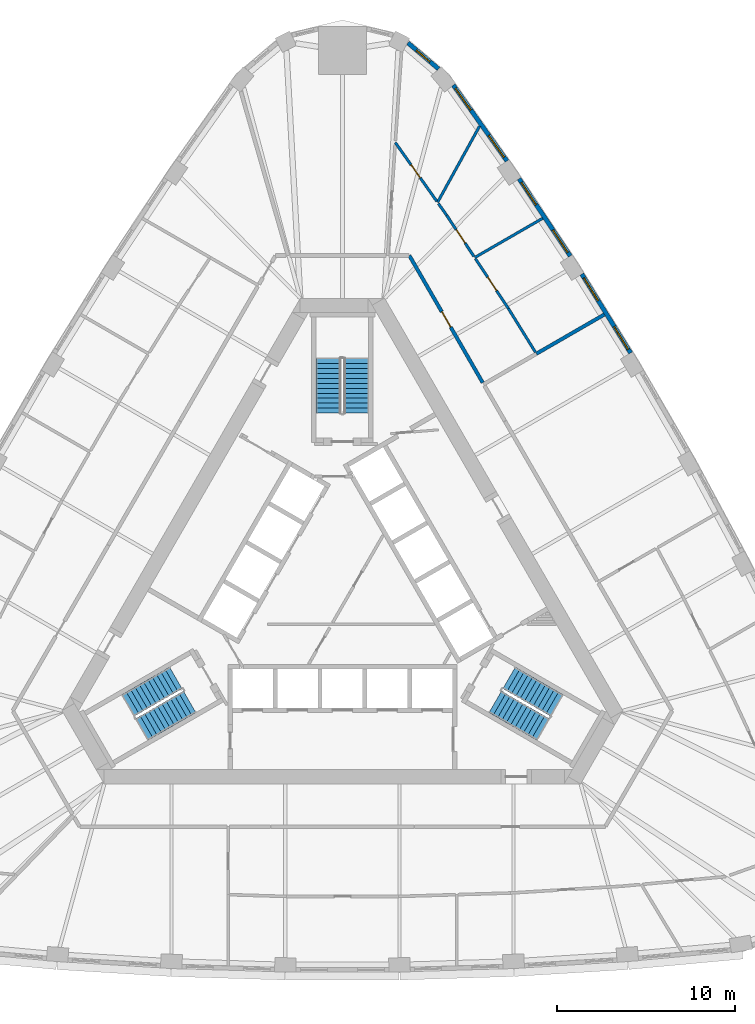
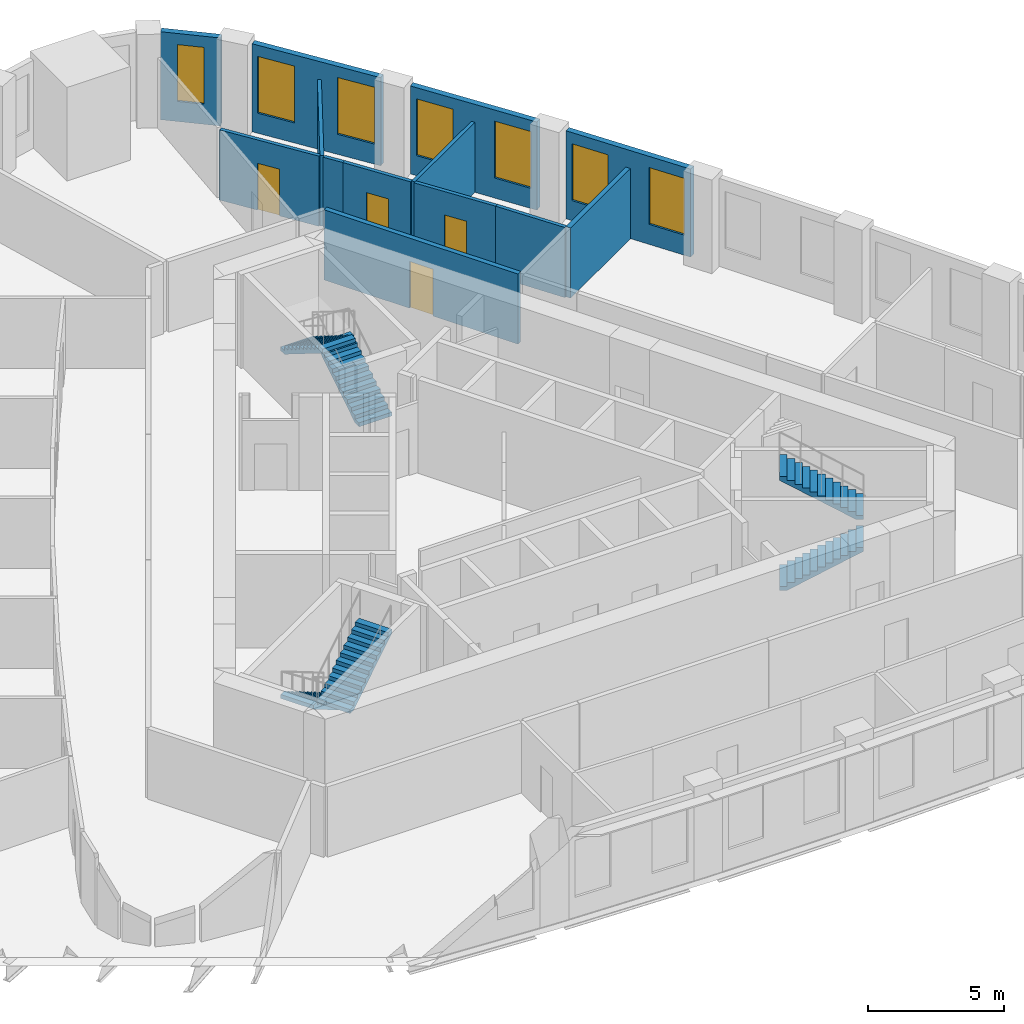
# One storey, part 10 of 11: 13 walls, 7 windows, 6 stair flights, 4 doors, 11 openings, 3 elements without a shape of their own.
"""IFC4 building model written with IfcOpenShell, lengths in metres."""

from ifc_helpers import new_model, si_unit, direction, frame, frame_2d, origin, place, context, subcontext, project, spatial, polyline, rectangle, outline, extrude, material, layer, layer_set, type_object, element, fill, aggregate, save


model = new_model("IFC4")

# Units and contexts
model_context = context("Model", 3, precision=1e-05, world=origin(), true_north=direction((0.0, 1.0)))
body_context = subcontext(model_context, "Body", "Model", "MODEL_VIEW")
ifc_project = project(units=[si_unit("LENGTHUNIT", "METRE"), si_unit("AREAUNIT", "SQUARE_METRE"), si_unit("VOLUMEUNIT", "CUBIC_METRE"), si_unit("PLANEANGLEUNIT", "RADIAN"), si_unit("MASSUNIT", "GRAM", prefix="KILO")], contexts=[model_context])

# Site, building, storey
site_placement = place(None, origin())
site = spatial("IfcSite", under=ifc_project, at=site_placement, CompositionType="ELEMENT")
building_placement = place(site_placement, origin())
building = spatial("IfcBuilding", under=site, at=building_placement, Name="Mestral Congress Tower", CompositionType="ELEMENT")
storey_placement = place(building_placement, frame((0.0, 0.0, 166.800048828125)))
storey = spatial("IfcBuildingStorey", under=building, at=storey_placement, Name="L39", CompositionType="ELEMENT", Elevation=166.800048828125)

# Wall, openings, windows
ifc_material_1 = material(Name="Precast concrete C40/50 with limestone facing", Category="masonry")
ifc_layer_1 = layer(ifc_material_1, 0.239990234375)
ifc_layer_set_1 = layer_set([ifc_layer_1], Name="Precast concrete C40/50 with limestone facing")
wall_type_1 = type_object("IfcWallType", Name="Facade stone wall 240", PredefinedType="SOLIDWALL", material=ifc_layer_set_1)
wall_1_placement = place(storey_placement, frame((16.170654296875, 13.731201171875, 0.0), z_axis=(0.0, 0.0, 1.0), x_axis=(-0.526197926587, 0.850362124072, 0.0)))
wall_1 = element("IfcWall", 1, at=wall_1_placement, inside=storey, type_object=wall_type_1, Name="Facade wall F1-04", PredefinedType="SOLIDWALL", context=body_context, shape_type="SweptSolid", body=[
    extrude(rectangle(XDim=5.203369140625, YDim=0.239990234375, at=frame_2d((2.6015625, 0.0))), origin(), (0.0, 0.0, 1.0), 3.949951171875),
])
opening_1_placement = place(wall_1_placement, frame((0.248291015625, 0.0, 0.89990234375)))
opening_1 = element("IfcOpeningElement", 2, at=opening_1_placement, cuts=wall_1, Name="Opening W4", PredefinedType="OPENING", context=body_context, shape_type="SweptSolid", body=[
    extrude(rectangle(XDim=1.5, YDim=2.550048828125, at=frame_2d((0.75, 1.27490234375))), frame((0.0, 0.1298828125, 0.0), z_axis=(0.0, -1.0, 0.0), x_axis=(1.0, 0.0, 0.0)), (0.0, 0.0, 1.0), 0.260009765625),
])
opening_2_placement = place(wall_1_placement, frame((3.455078125, 0.0, 0.89990234375)))
opening_2 = element("IfcOpeningElement", 3, at=opening_2_placement, cuts=wall_1, Name="Opening W4", PredefinedType="OPENING", context=body_context, shape_type="SweptSolid", body=[
    extrude(rectangle(XDim=1.5, YDim=2.550048828125, at=frame_2d((0.75, 1.27490234375))), frame((0.0, 0.1298828125, 0.0), z_axis=(0.0, -1.0, 0.0), x_axis=(1.0, 0.0, 0.0)), (0.0, 0.0, 1.0), 0.260009765625),
])
ifc_material_2 = material(Name="Clear low-emissivity double glazing", Category="glass")
window_type_1 = type_object("IfcWindowType", Name="Facade punched window 1500 x 2550 sill 900", PartitioningType="SINGLE_PANEL", PredefinedType="WINDOW", material=ifc_material_2)
window_1_placement = place(opening_1_placement, origin())
window_1 = element("IfcWindow", 4, at=window_1_placement, inside=storey, type_object=window_type_1, Name="Window F1-04a", OverallHeight=2.550048828125, OverallWidth=1.5, PartitioningType="SINGLE_PANEL", PredefinedType="WINDOW", context=body_context, shape_type="SweptSolid", body=[
    extrude(rectangle(XDim=1.5, YDim=2.550048828125, at=frame_2d((0.75, 1.27490234375))), frame((0.0, 0.0400390625, 0.0), z_axis=(0.0, -1.0, 0.0), x_axis=(1.0, 0.0, 0.0)), (0.0, 0.0, 1.0), 0.06005859375),
])
fill(opening_1, window_1)
window_2_placement = place(opening_2_placement, origin())
window_2 = element("IfcWindow", 5, at=window_2_placement, inside=storey, type_object=window_type_1, Name="Window F1-04b", OverallHeight=2.550048828125, OverallWidth=1.5, PartitioningType="SINGLE_PANEL", PredefinedType="WINDOW", context=body_context, shape_type="SweptSolid", body=[
    extrude(rectangle(XDim=1.5, YDim=2.550048828125, at=frame_2d((0.75, 1.27490234375))), frame((0.0, 0.0400390625, 0.0), z_axis=(0.0, -1.0, 0.0), x_axis=(1.0, 0.0, 0.0)), (0.0, 0.0, 1.0), 0.06005859375),
])
fill(opening_2, window_2)

wall_2_placement = place(storey_placement, frame((12.783203125, 19.170654296875, 0.0), z_axis=(0.0, 0.0, 1.0), x_axis=(-0.551892811511, 0.833915058386, 0.0)))
wall_2 = element("IfcWall", 6, at=wall_2_placement, inside=storey, type_object=wall_type_1, Name="Facade wall F1-05", PredefinedType="SOLIDWALL", context=body_context, shape_type="SweptSolid", body=[
    extrude(rectangle(XDim=5.20361328125, YDim=0.239990234375, at=frame_2d((2.601806640625, 0.0))), origin(), (0.0, 0.0, 1.0), 3.949951171875),
])
opening_3_placement = place(wall_2_placement, frame((0.248291015625, 0.0, 0.89990234375)))
opening_3 = element("IfcOpeningElement", 7, at=opening_3_placement, cuts=wall_2, Name="Opening W4", PredefinedType="OPENING", context=body_context, shape_type="SweptSolid", body=[
    extrude(rectangle(XDim=1.5, YDim=2.550048828125, at=frame_2d((0.75, 1.27490234375))), frame((0.0, 0.1298828125, 0.0), z_axis=(0.0, -1.0, 0.0), x_axis=(1.0, 0.0, 0.0)), (0.0, 0.0, 1.0), 0.260009765625),
])
opening_4_placement = place(wall_2_placement, frame((3.455078125, 0.0, 0.89990234375)))
opening_4 = element("IfcOpeningElement", 8, at=opening_4_placement, cuts=wall_2, Name="Opening W4", PredefinedType="OPENING", context=body_context, shape_type="SweptSolid", body=[
    extrude(rectangle(XDim=1.5, YDim=2.550048828125, at=frame_2d((0.75, 1.27490234375))), frame((0.0, 0.1298828125, 0.0), z_axis=(0.0, -1.0, 0.0), x_axis=(1.0, 0.0, 0.0)), (0.0, 0.0, 1.0), 0.260009765625),
])
window_3_placement = place(opening_3_placement, origin())
window_3 = element("IfcWindow", 9, at=window_3_placement, inside=storey, type_object=window_type_1, Name="Window F1-05a", OverallHeight=2.550048828125, OverallWidth=1.5, PartitioningType="SINGLE_PANEL", PredefinedType="WINDOW", context=body_context, shape_type="SweptSolid", body=[
    extrude(rectangle(XDim=1.5, YDim=2.550048828125, at=frame_2d((0.75, 1.27490234375))), frame((0.0, 0.0400390625, 0.0), z_axis=(0.0, -1.0, 0.0), x_axis=(1.0, 0.0, 0.0)), (0.0, 0.0, 1.0), 0.06005859375),
])
fill(opening_3, window_3)
window_4_placement = place(opening_4_placement, origin())
window_4 = element("IfcWindow", 10, at=window_4_placement, inside=storey, type_object=window_type_1, Name="Window F1-05b", OverallHeight=2.550048828125, OverallWidth=1.5, PartitioningType="SINGLE_PANEL", PredefinedType="WINDOW", context=body_context, shape_type="SweptSolid", body=[
    extrude(rectangle(XDim=1.5, YDim=2.550048828125, at=frame_2d((0.75, 1.27490234375))), frame((0.0, 0.0400390625, 0.0), z_axis=(0.0, -1.0, 0.0), x_axis=(1.0, 0.0, 0.0)), (0.0, 0.0, 1.0), 0.06005859375),
])
fill(opening_4, window_4)

wall_3_placement = place(storey_placement, frame((9.231201171875, 24.50439453125, 0.0), z_axis=(0.0, 0.0, 1.0), x_axis=(-0.577115207679, 0.816662743772, 0.0)))
wall_3 = element("IfcWall", 11, at=wall_3_placement, inside=storey, type_object=wall_type_1, Name="Facade wall F1-06", PredefinedType="SOLIDWALL", context=body_context, shape_type="SweptSolid", body=[
    extrude(rectangle(XDim=5.213134765625, YDim=0.239990234375, at=frame_2d((2.6064453125, 0.0))), origin(), (0.0, 0.0, 1.0), 3.949951171875),
])
opening_5_placement = place(wall_3_placement, frame((0.2607421875, 0.0, 0.89990234375)))
opening_5 = element("IfcOpeningElement", 12, at=opening_5_placement, cuts=wall_3, Name="Opening W4", PredefinedType="OPENING", context=body_context, shape_type="SweptSolid", body=[
    extrude(rectangle(XDim=1.5, YDim=2.550048828125, at=frame_2d((0.75, 1.27490234375))), frame((0.0, 0.1298828125, 0.0), z_axis=(0.0, -1.0, 0.0), x_axis=(1.0, 0.0, 0.0)), (0.0, 0.0, 1.0), 0.260009765625),
])
opening_6_placement = place(wall_3_placement, frame((3.492431640625, 0.0, 0.89990234375)))
opening_6 = element("IfcOpeningElement", 13, at=opening_6_placement, cuts=wall_3, Name="Opening W4", PredefinedType="OPENING", context=body_context, shape_type="SweptSolid", body=[
    extrude(rectangle(XDim=1.5, YDim=2.550048828125, at=frame_2d((0.75, 1.27490234375))), frame((0.0, 0.1298828125, 0.0), z_axis=(0.0, -1.0, 0.0), x_axis=(1.0, 0.0, 0.0)), (0.0, 0.0, 1.0), 0.260009765625),
])
window_5_placement = place(opening_5_placement, origin())
window_5 = element("IfcWindow", 14, at=window_5_placement, inside=storey, type_object=window_type_1, Name="Window F1-06a", OverallHeight=2.550048828125, OverallWidth=1.5, PartitioningType="SINGLE_PANEL", PredefinedType="WINDOW", context=body_context, shape_type="SweptSolid", body=[
    extrude(rectangle(XDim=1.5, YDim=2.550048828125, at=frame_2d((0.75, 1.27490234375))), frame((0.0, 0.0400390625, 0.0), z_axis=(0.0, -1.0, 0.0), x_axis=(1.0, 0.0, 0.0)), (0.0, 0.0, 1.0), 0.06005859375),
])
fill(opening_5, window_5)
window_6_placement = place(opening_6_placement, origin())
window_6 = element("IfcWindow", 15, at=window_6_placement, inside=storey, type_object=window_type_1, Name="Window F1-06b", OverallHeight=2.550048828125, OverallWidth=1.5, PartitioningType="SINGLE_PANEL", PredefinedType="WINDOW", context=body_context, shape_type="SweptSolid", body=[
    extrude(rectangle(XDim=1.5, YDim=2.550048828125, at=frame_2d((0.75, 1.27490234375))), frame((0.0, 0.0400390625, 0.0), z_axis=(0.0, -1.0, 0.0), x_axis=(1.0, 0.0, 0.0)), (0.0, 0.0, 1.0), 0.06005859375),
])
fill(opening_6, window_6)

# Wall, opening, window
wall_4_placement = place(storey_placement, frame((5.3916015625, 29.672119140625, 0.0), z_axis=(0.0, 0.0, 1.0), x_axis=(-0.761419744247, 0.648259186645, 0.0)))
wall_4 = element("IfcWall", 16, at=wall_4_placement, inside=storey, type_object=wall_type_1, Name="Facade wall K1-0", PredefinedType="SOLIDWALL", context=body_context, shape_type="SweptSolid", body=[
    extrude(rectangle(XDim=2.250244140625, YDim=0.239990234375, at=frame_2d((1.125, 0.0))), origin(), (0.0, 0.0, 1.0), 3.949951171875),
])
opening_7_placement = place(wall_4_placement, frame((0.625244140625, 0.0, 0.89990234375)))
opening_7 = element("IfcOpeningElement", 17, at=opening_7_placement, cuts=wall_4, Name="Opening W5", PredefinedType="OPENING", context=body_context, shape_type="SweptSolid", body=[
    extrude(rectangle(XDim=1.0, YDim=2.550048828125, at=frame_2d((0.5, 1.27490234375))), frame((0.0, 0.1298828125, 0.0), z_axis=(0.0, -1.0, 0.0), x_axis=(1.0, 0.0, 0.0)), (0.0, 0.0, 1.0), 0.260009765625),
])
window_type_2 = type_object("IfcWindowType", Name="Facade punched window 1000 x 2550 sill 900", PartitioningType="SINGLE_PANEL", PredefinedType="WINDOW", material=ifc_material_2)
window_7_placement = place(opening_7_placement, origin())
window_7 = element("IfcWindow", 18, at=window_7_placement, inside=storey, type_object=window_type_2, Name="Window K1-0", OverallHeight=2.550048828125, OverallWidth=1.0, PartitioningType="SINGLE_PANEL", PredefinedType="WINDOW", context=body_context, shape_type="SweptSolid", body=[
    extrude(rectangle(XDim=1.0, YDim=2.550048828125, at=frame_2d((0.5, 1.27490234375))), frame((0.0, 0.0400390625, 0.0), z_axis=(0.0, -1.0, 0.0), x_axis=(1.0, 0.0, 0.0)), (0.0, 0.0, 1.0), 0.06005859375),
])
fill(opening_7, window_7)

# Walls
ifc_material_3 = material(Name="Plasterboard partition on steel studs", Category="steel")
ifc_layer_2 = layer(ifc_material_3, 0.14990234375)
ifc_layer_set_2 = layer_set([ifc_layer_2], Name="Plasterboard partition on steel studs")
wall_type_2 = type_object("IfcWallType", Name="Office partition 150", PredefinedType="PARTITIONING", material=ifc_layer_set_2)
wall_5_placement = place(storey_placement, frame((7.419921875, 19.084716796875, 0.0), z_axis=(0.0, 0.0, 1.0), x_axis=(0.866012184407, 0.500022895934, 0.0)))
element("IfcWall", 19, at=wall_5_placement, inside=storey, type_object=wall_type_2, Name="Partition", PredefinedType="PARTITIONING", context=body_context, shape_type="SweptSolid", body=[
    extrude(rectangle(XDim=4.407958984375, YDim=0.14990234375, at=frame_2d((2.2041015625, 0.0))), origin(), (0.0, 0.0, 1.0), 3.14990234375),
])
wall_6_placement = place(storey_placement, frame((10.830078125, 13.772216796875, 0.0), z_axis=(0.0, 0.0, 1.0), x_axis=(-0.526229630206, 0.850342505284, 0.0)))
element("IfcWall", 20, at=wall_6_placement, inside=storey, type_object=wall_type_2, Name="Partition", PredefinedType="PARTITIONING", context=body_context, shape_type="SweptSolid", body=[
    extrude(rectangle(XDim=2.891845703125, YDim=0.14990234375, at=frame_2d((1.44580078125, 0.0))), origin(), (0.0, 0.0, 1.0), 3.14990234375),
])

# Wall, opening, door
wall_7_placement = place(storey_placement, frame((7.461181640625, 19.022216796875, 0.0), z_axis=(0.0, 0.0, 1.0), x_axis=(0.551902709159, -0.833908507945, 0.0)))
wall_7 = element("IfcWall", 21, at=wall_7_placement, inside=storey, type_object=wall_type_2, Name="Partition", PredefinedType="PARTITIONING", context=body_context, shape_type="SweptSolid", body=[
    extrude(rectangle(XDim=3.346923828125, YDim=0.14990234375, at=frame_2d((1.67333984375, 0.0))), origin(), (0.0, 0.0, 1.0), 3.14990234375),
])
opening_8_placement = place(wall_7_placement, frame((1.24658203125, 0.0, 0.0)))
opening_8 = element("IfcOpeningElement", 22, at=opening_8_placement, cuts=wall_7, Name="Opening O03-009", PredefinedType="OPENING", context=body_context, shape_type="SweptSolid", body=[
    extrude(rectangle(XDim=0.89990234375, YDim=2.10009765625, at=frame_2d((0.449951171875, 1.050048828125))), frame((0.0, 0.0849609375, 0.0), z_axis=(0.0, -1.0, 0.0), x_axis=(1.0, 0.0, 0.0)), (0.0, 0.0, 1.0), 0.169921875),
])
ifc_material_4 = material(Name="Timber door set", Category="wood")
door_type_1 = type_object("IfcDoorType", Name="Office door 900x2100", OperationType="SINGLE_SWING_LEFT", PredefinedType="DOOR", material=ifc_material_4)
door_1_placement = place(opening_8_placement, origin())
door_1 = element("IfcDoor", 23, at=door_1_placement, inside=storey, type_object=door_type_1, Name="Door O03-009", OperationType="SINGLE_SWING_RIGHT", OverallHeight=2.10009765625, OverallWidth=0.89990234375, PredefinedType="DOOR", context=body_context, shape_type="SweptSolid", body=[
    extrude(rectangle(XDim=0.89990234375, YDim=2.10009765625, at=frame_2d((0.449951171875, 1.050048828125))), frame((0.0, 0.02490234375, 0.0), z_axis=(0.0, -1.0, 0.0), x_axis=(1.0, 0.0, 0.0)), (0.0, 0.0, 1.0), 0.050048828125),
])
fill(opening_8, door_1)

# Wall
wall_8_placement = place(storey_placement, frame((5.336669921875, 22.183349609375, 0.0), z_axis=(0.0, 0.0, 1.0), x_axis=(0.482995509385, 0.875622828571, 0.0)))
element("IfcWall", 24, at=wall_8_placement, inside=storey, type_object=wall_type_2, Name="Partition", PredefinedType="PARTITIONING", context=body_context, shape_type="SweptSolid", body=[
    extrude(rectangle(XDim=4.889892578125, YDim=0.14990234375, at=frame_2d((2.44482421875, 0.0))), origin(), (0.0, 0.0, 1.0), 3.14990234375),
])

# Wall, opening, door
wall_9_placement = place(storey_placement, frame((5.84765625, 21.460205078125, 0.0), z_axis=(0.0, 0.0, 1.0), x_axis=(0.551934419249, -0.833887520502, 0.0)))
wall_9 = element("IfcWall", 25, at=wall_9_placement, inside=storey, type_object=wall_type_2, Name="Partition", PredefinedType="PARTITIONING", context=body_context, shape_type="SweptSolid", body=[
    extrude(rectangle(XDim=2.7734375, YDim=0.14990234375, at=frame_2d((1.38671875, 0.0))), origin(), (0.0, 0.0, 1.0), 3.14990234375),
])
opening_9_placement = place(wall_9_placement, frame((0.973388671875, 0.0, 0.0)))
opening_9 = element("IfcOpeningElement", 26, at=opening_9_placement, cuts=wall_9, Name="Opening O03-010", PredefinedType="OPENING", context=body_context, shape_type="SweptSolid", body=[
    extrude(rectangle(XDim=0.89990234375, YDim=2.10009765625, at=frame_2d((0.449951171875, 1.050048828125))), frame((0.0, 0.0849609375, 0.0), z_axis=(0.0, -1.0, 0.0), x_axis=(1.0, 0.0, 0.0)), (0.0, 0.0, 1.0), 0.169921875),
])
door_2_placement = place(opening_9_placement, origin())
door_2 = element("IfcDoor", 27, at=door_2_placement, inside=storey, type_object=door_type_1, Name="Door O03-010", OperationType="SINGLE_SWING_RIGHT", OverallHeight=2.10009765625, OverallWidth=0.89990234375, PredefinedType="DOOR", context=body_context, shape_type="SweptSolid", body=[
    extrude(rectangle(XDim=0.89990234375, YDim=2.10009765625, at=frame_2d((0.449951171875, 1.050048828125))), frame((0.0, 0.02490234375, 0.0), z_axis=(0.0, -1.0, 0.0), x_axis=(1.0, 0.0, 0.0)), (0.0, 0.0, 1.0), 0.050048828125),
])
fill(opening_9, door_2)

# Wall
wall_10_placement = place(storey_placement, frame((5.84765625, 21.460205078125, 0.0), z_axis=(0.0, 0.0, 1.0), x_axis=(-0.577113333385, 0.816664068286, 0.0)))
element("IfcWall", 28, at=wall_10_placement, inside=storey, type_object=wall_type_2, Name="Partition", PredefinedType="PARTITIONING", context=body_context, shape_type="SweptSolid", body=[
    extrude(rectangle(XDim=0.802001953125, YDim=0.14990234375, at=frame_2d((0.40087890625, 0.0))), origin(), (0.0, 0.0, 1.0), 3.14990234375),
])

# Wall, opening, door
wall_11_placement = place(storey_placement, frame((2.965576171875, 25.538818359375, 0.0), z_axis=(0.0, 0.0, 1.0), x_axis=(0.577099839594, -0.816673603798, 0.0)))
wall_11 = element("IfcWall", 29, at=wall_11_placement, inside=storey, type_object=wall_type_2, Name="Partition", PredefinedType="PARTITIONING", context=body_context, shape_type="SweptSolid", body=[
    extrude(rectangle(XDim=4.025390625, YDim=0.14990234375, at=frame_2d((2.0126953125, 0.0))), origin(), (0.0, 0.0, 1.0), 3.14990234375),
])
opening_10_placement = place(wall_11_placement, frame((1.525390625, 0.0, 0.0)))
opening_10 = element("IfcOpeningElement", 30, at=opening_10_placement, cuts=wall_11, Name="Opening O03-011", PredefinedType="OPENING", context=body_context, shape_type="SweptSolid", body=[
    extrude(rectangle(XDim=0.89990234375, YDim=2.10009765625, at=frame_2d((0.449951171875, 1.050048828125))), frame((0.0, 0.0849609375, 0.0), z_axis=(0.0, -1.0, 0.0), x_axis=(1.0, 0.0, 0.0)), (0.0, 0.0, 1.0), 0.169921875),
])
door_3_placement = place(opening_10_placement, origin())
door_3 = element("IfcDoor", 31, at=door_3_placement, inside=storey, type_object=door_type_1, Name="Door O03-011", OperationType="SINGLE_SWING_LEFT", OverallHeight=2.10009765625, OverallWidth=0.89990234375, PredefinedType="DOOR", context=body_context, shape_type="SweptSolid", body=[
    extrude(rectangle(XDim=0.89990234375, YDim=2.10009765625, at=frame_2d((0.449951171875, 1.050048828125))), frame((0.0, 0.02490234375, 0.0), z_axis=(0.0, -1.0, 0.0), x_axis=(1.0, 0.0, 0.0)), (0.0, 0.0, 1.0), 0.050048828125),
])
fill(opening_10, door_3)

# Wall
ifc_material_5 = material(Name="Dense masonry wall, plastered", Category="masonry")
ifc_layer_3 = layer(ifc_material_5, 0.199951171875)
ifc_layer_set_3 = layer_set([ifc_layer_3], Name="Dense masonry wall, plastered")
wall_type_3 = type_object("IfcWallType", Name="Office tenancy wall 200", PredefinedType="PARTITIONING", material=ifc_layer_set_3)
wall_12_placement = place(storey_placement, frame((10.879150390625, 13.68505859375, 0.0), z_axis=(0.0, 0.0, 1.0), x_axis=(0.866035177799, 0.499983070528, 0.0)))
element("IfcWall", 32, at=wall_12_placement, inside=storey, type_object=wall_type_3, Name="Tenancy wall", PredefinedType="PARTITIONING", context=body_context, shape_type="SweptSolid", body=[
    extrude(rectangle(XDim=4.406005859375, YDim=0.199951171875, at=frame_2d((2.203125, 0.0))), origin(), (0.0, 0.0, 1.0), 3.14990234375),
])

# Wall, opening, door
wall_13_placement = place(storey_placement, frame((7.872314453125, 12.064453125, 0.0), z_axis=(0.0, 0.0, 1.0), x_axis=(-0.499995192696, 0.866028179265, 0.0)))
wall_13 = element("IfcWall", 33, at=wall_13_placement, inside=storey, type_object=wall_type_3, Name="Tenancy wall", PredefinedType="PARTITIONING", context=body_context, shape_type="SweptSolid", body=[
    extrude(rectangle(XDim=8.2392578125, YDim=0.199951171875, at=frame_2d((4.11962890625, 0.0))), origin(), (0.0, 0.0, 1.0), 3.14990234375),
])
opening_11_placement = place(wall_13_placement, frame((3.60009765625, 0.0, 0.0)))
opening_11 = element("IfcOpeningElement", 34, at=opening_11_placement, cuts=wall_13, Name="Opening O03-012", PredefinedType="OPENING", context=body_context, shape_type="SweptSolid", body=[
    extrude(rectangle(XDim=1.0, YDim=2.10009765625, at=frame_2d((0.5, 1.050048828125))), frame((0.0, 0.10986328125, 0.0), z_axis=(0.0, -1.0, 0.0), x_axis=(1.0, 0.0, 0.0)), (0.0, 0.0, 1.0), 0.219970703125),
])
ifc_material_6 = material(Name="Fire-rated timber door set", Category="wood")
door_type_2 = type_object("IfcDoorType", Name="Office tenancy entrance door 1000x2100", OperationType="SINGLE_SWING_LEFT", PredefinedType="DOOR", material=ifc_material_6)
door_4_placement = place(opening_11_placement, origin())
door_4 = element("IfcDoor", 35, at=door_4_placement, inside=storey, type_object=door_type_2, Name="Door O03-012", OperationType="SINGLE_SWING_LEFT", OverallHeight=2.10009765625, OverallWidth=1.0, PredefinedType="DOOR", context=body_context, shape_type="SweptSolid", body=[
    extrude(rectangle(XDim=1.0, YDim=2.10009765625, at=frame_2d((0.5, 1.050048828125))), frame((0.0, 0.02490234375, 0.0), z_axis=(0.0, -1.0, 0.0), x_axis=(1.0, 0.0, 0.0)), (0.0, 0.0, 1.0), 0.050048828125),
])
fill(opening_11, door_4)

# Stair, stair flights
ifc_material_7 = material(Name="Concrete C60/75", Category="concrete")
stair_type = type_object("IfcStairType", Name="Exit stair 1400", PredefinedType="HALF_TURN_STAIR", material=ifc_material_7)
placement = place(storey_placement, origin())
stair_1 = element("IfcStair", 36, at=placement, inside=storey, type_object=stair_type, Name="L39 ST1", PredefinedType="HALF_TURN_STAIR")
stair_flight_type = type_object("IfcStairFlightType", Name="Exit stair flight 1400", PredefinedType="STRAIGHT", material=ifc_material_7)
stair_flight_1_placement = place(storey_placement, frame((8.575927734375, -5.84619140625, 0.0), z_axis=(0.0, 0.0, 1.0), x_axis=(0.866025403784, -0.5, 0.0)))
stair_flight_1 = element("IfcStairFlight", 37, at=stair_flight_1_placement, type_object=stair_flight_type, Name="ST1 flight 1", NumberOfRisers=12, NumberOfTreads=11, PredefinedType="STRAIGHT", RiserHeight=0.175, TreadLength=0.28, context=body_context, shape_type="SweptSolid", body=[
    extrude(outline(polyline([(0.0, 0.0), (0.0, 0.175048828125), (0.280029296875, 0.175048828125), (0.280029296875, 0.35009765625), (0.56005859375, 0.35009765625), (0.56005859375, 0.52490234375), (0.840087890625, 0.52490234375), (0.840087890625, 0.699951171875), (1.1201171875, 0.699951171875), (1.1201171875, 0.875), (1.39990234375, 0.875), (1.39990234375, 1.050048828125), (1.679931640625, 1.050048828125), (1.679931640625, 1.22509765625), (1.9599609375, 1.22509765625), (1.9599609375, 1.39990234375), (2.239990234375, 1.39990234375), (2.239990234375, 1.574951171875), (2.52001953125, 1.574951171875), (2.52001953125, 1.75), (2.800048828125, 1.75), (2.800048828125, 1.925048828125), (3.080078125, 1.925048828125), (3.080078125, 2.10009765625), (3.080078125, 1.748291015625), (0.28271484375, 0.0), (0.0, 0.0)])), frame((0.0, 0.699951171875, 0.0), z_axis=(0.0, -1.0, 0.0), x_axis=(1.0, 0.0, 0.0)), (0.0, 0.0, 1.0), 1.39990234375),
])
stair_flight_2_placement = place(storey_placement, frame((12.018310546875, -6.0439453125, 2.099853515625), z_axis=(0.0, 0.0, 1.0), x_axis=(-0.866025403784, 0.5, 0.0)))
stair_flight_2 = element("IfcStairFlight", 38, at=stair_flight_2_placement, type_object=stair_flight_type, Name="ST1 flight 2", NumberOfRisers=12, NumberOfTreads=11, PredefinedType="STRAIGHT", RiserHeight=0.175, TreadLength=0.28, context=body_context, shape_type="SweptSolid", body=[
    extrude(outline(polyline([(0.0, 0.0), (0.0, 0.175048828125), (0.280029296875, 0.175048828125), (0.280029296875, 0.35009765625), (0.56005859375, 0.35009765625), (0.56005859375, 0.52490234375), (0.840087890625, 0.52490234375), (0.840087890625, 0.699951171875), (1.1201171875, 0.699951171875), (1.1201171875, 0.875), (1.39990234375, 0.875), (1.39990234375, 1.050048828125), (1.679931640625, 1.050048828125), (1.679931640625, 1.22509765625), (1.9599609375, 1.22509765625), (1.9599609375, 1.39990234375), (2.239990234375, 1.39990234375), (2.239990234375, 1.574951171875), (2.52001953125, 1.574951171875), (2.52001953125, 1.75), (2.800048828125, 1.75), (2.800048828125, 1.925048828125), (3.080078125, 1.925048828125), (3.080078125, 2.10009765625), (3.080078125, 1.748291015625), (0.28271484375, 0.0), (0.0, 0.0)])), frame((0.0, 0.699951171875, 0.0), z_axis=(0.0, -1.0, 0.0), x_axis=(1.0, 0.0, 0.0)), (0.0, 0.0, 1.0), 1.39990234375),
])
aggregate(stair_1, [stair_flight_1, stair_flight_2])

stair_2 = element("IfcStair", 39, at=placement, inside=storey, type_object=stair_type, Name="L39 ST2", PredefinedType="HALF_TURN_STAIR")
stair_flight_3_placement = place(storey_placement, frame((0.77490234375, 10.35009765625, 0.0), z_axis=(0.0, 0.0, 1.0), x_axis=(0.0, 1.0, 0.0)))
stair_flight_3 = element("IfcStairFlight", 40, at=stair_flight_3_placement, type_object=stair_flight_type, Name="ST2 flight 1", NumberOfRisers=12, NumberOfTreads=11, PredefinedType="STRAIGHT", RiserHeight=0.175, TreadLength=0.28, context=body_context, shape_type="SweptSolid", body=[
    extrude(outline(polyline([(0.0, 0.0), (0.0, 0.175048828125), (0.280029296875, 0.175048828125), (0.280029296875, 0.35009765625), (0.56005859375, 0.35009765625), (0.56005859375, 0.52490234375), (0.840087890625, 0.52490234375), (0.840087890625, 0.699951171875), (1.1201171875, 0.699951171875), (1.1201171875, 0.875), (1.39990234375, 0.875), (1.39990234375, 1.050048828125), (1.679931640625, 1.050048828125), (1.679931640625, 1.22509765625), (1.9599609375, 1.22509765625), (1.9599609375, 1.39990234375), (2.239990234375, 1.39990234375), (2.239990234375, 1.574951171875), (2.52001953125, 1.574951171875), (2.52001953125, 1.75), (2.800048828125, 1.75), (2.800048828125, 1.925048828125), (3.080078125, 1.925048828125), (3.080078125, 2.10009765625), (3.080078125, 1.748291015625), (0.28271484375, 0.0), (0.0, 0.0)])), frame((0.0, 0.699951171875, 0.0), z_axis=(0.0, -1.0, 0.0), x_axis=(1.0, 0.0, 0.0)), (0.0, 0.0, 1.0), 1.39990234375),
])
stair_flight_4_placement = place(storey_placement, frame((-0.77490234375, 13.429931640625, 2.099853515625), z_axis=(0.0, 0.0, 1.0), x_axis=(0.0, -1.0, 0.0)))
stair_flight_4 = element("IfcStairFlight", 41, at=stair_flight_4_placement, type_object=stair_flight_type, Name="ST2 flight 2", NumberOfRisers=12, NumberOfTreads=11, PredefinedType="STRAIGHT", RiserHeight=0.175, TreadLength=0.28, context=body_context, shape_type="SweptSolid", body=[
    extrude(outline(polyline([(0.0, 0.0), (0.0, 0.175048828125), (0.280029296875, 0.175048828125), (0.280029296875, 0.35009765625), (0.56005859375, 0.35009765625), (0.56005859375, 0.52490234375), (0.840087890625, 0.52490234375), (0.840087890625, 0.699951171875), (1.1201171875, 0.699951171875), (1.1201171875, 0.875), (1.39990234375, 0.875), (1.39990234375, 1.050048828125), (1.679931640625, 1.050048828125), (1.679931640625, 1.22509765625), (1.9599609375, 1.22509765625), (1.9599609375, 1.39990234375), (2.239990234375, 1.39990234375), (2.239990234375, 1.574951171875), (2.52001953125, 1.574951171875), (2.52001953125, 1.75), (2.800048828125, 1.75), (2.800048828125, 1.925048828125), (3.080078125, 1.925048828125), (3.080078125, 2.10009765625), (3.080078125, 1.748291015625), (0.28271484375, 0.0), (0.0, 0.0)])), frame((0.0, 0.699951171875, 0.0), z_axis=(0.0, -1.0, 0.0), x_axis=(1.0, 0.0, 0.0)), (0.0, 0.0, 1.0), 1.39990234375),
])
aggregate(stair_2, [stair_flight_3, stair_flight_4])

stair_3 = element("IfcStair", 42, at=placement, inside=storey, type_object=stair_type, Name="L39 ST3", PredefinedType="HALF_TURN_STAIR")
stair_flight_5_placement = place(storey_placement, frame((-9.350830078125, -4.50390625, 0.0), z_axis=(0.0, 0.0, 1.0), x_axis=(-0.866025403784, -0.5, 0.0)))
stair_flight_5 = element("IfcStairFlight", 43, at=stair_flight_5_placement, type_object=stair_flight_type, Name="ST3 flight 1", NumberOfRisers=12, NumberOfTreads=11, PredefinedType="STRAIGHT", RiserHeight=0.175, TreadLength=0.28, context=body_context, shape_type="SweptSolid", body=[
    extrude(outline(polyline([(0.0, 0.0), (0.0, 0.175048828125), (0.280029296875, 0.175048828125), (0.280029296875, 0.35009765625), (0.56005859375, 0.35009765625), (0.56005859375, 0.52490234375), (0.840087890625, 0.52490234375), (0.840087890625, 0.699951171875), (1.1201171875, 0.699951171875), (1.1201171875, 0.875), (1.39990234375, 0.875), (1.39990234375, 1.050048828125), (1.679931640625, 1.050048828125), (1.679931640625, 1.22509765625), (1.9599609375, 1.22509765625), (1.9599609375, 1.39990234375), (2.239990234375, 1.39990234375), (2.239990234375, 1.574951171875), (2.52001953125, 1.574951171875), (2.52001953125, 1.75), (2.800048828125, 1.75), (2.800048828125, 1.925048828125), (3.080078125, 1.925048828125), (3.080078125, 2.10009765625), (3.080078125, 1.748291015625), (0.28271484375, 0.0), (0.0, 0.0)])), frame((0.0, 0.699951171875, 0.0), z_axis=(0.0, -1.0, 0.0), x_axis=(1.0, 0.0, 0.0)), (0.0, 0.0, 1.0), 1.39990234375),
])
stair_flight_6_placement = place(storey_placement, frame((-11.2431640625, -7.38623046875, 2.099853515625), z_axis=(0.0, 0.0, 1.0), x_axis=(0.866025403784, 0.5, 0.0)))
stair_flight_6 = element("IfcStairFlight", 44, at=stair_flight_6_placement, type_object=stair_flight_type, Name="ST3 flight 2", NumberOfRisers=12, NumberOfTreads=11, PredefinedType="STRAIGHT", RiserHeight=0.175, TreadLength=0.28, context=body_context, shape_type="SweptSolid", body=[
    extrude(outline(polyline([(0.0, 0.0), (0.0, 0.175048828125), (0.280029296875, 0.175048828125), (0.280029296875, 0.35009765625), (0.56005859375, 0.35009765625), (0.56005859375, 0.52490234375), (0.840087890625, 0.52490234375), (0.840087890625, 0.699951171875), (1.1201171875, 0.699951171875), (1.1201171875, 0.875), (1.39990234375, 0.875), (1.39990234375, 1.050048828125), (1.679931640625, 1.050048828125), (1.679931640625, 1.22509765625), (1.9599609375, 1.22509765625), (1.9599609375, 1.39990234375), (2.239990234375, 1.39990234375), (2.239990234375, 1.574951171875), (2.52001953125, 1.574951171875), (2.52001953125, 1.75), (2.800048828125, 1.75), (2.800048828125, 1.925048828125), (3.080078125, 1.925048828125), (3.080078125, 2.10009765625), (3.080078125, 1.748291015625), (0.28271484375, 0.0), (0.0, 0.0)])), frame((0.0, 0.699951171875, 0.0), z_axis=(0.0, -1.0, 0.0), x_axis=(1.0, 0.0, 0.0)), (0.0, 0.0, 1.0), 1.39990234375),
])
aggregate(stair_3, [stair_flight_5, stair_flight_6])

save(model, "model.ifc")
